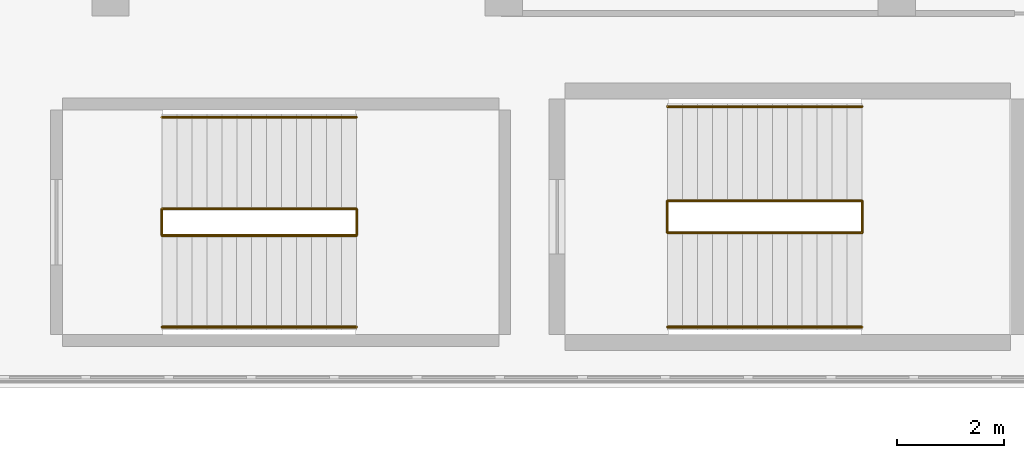
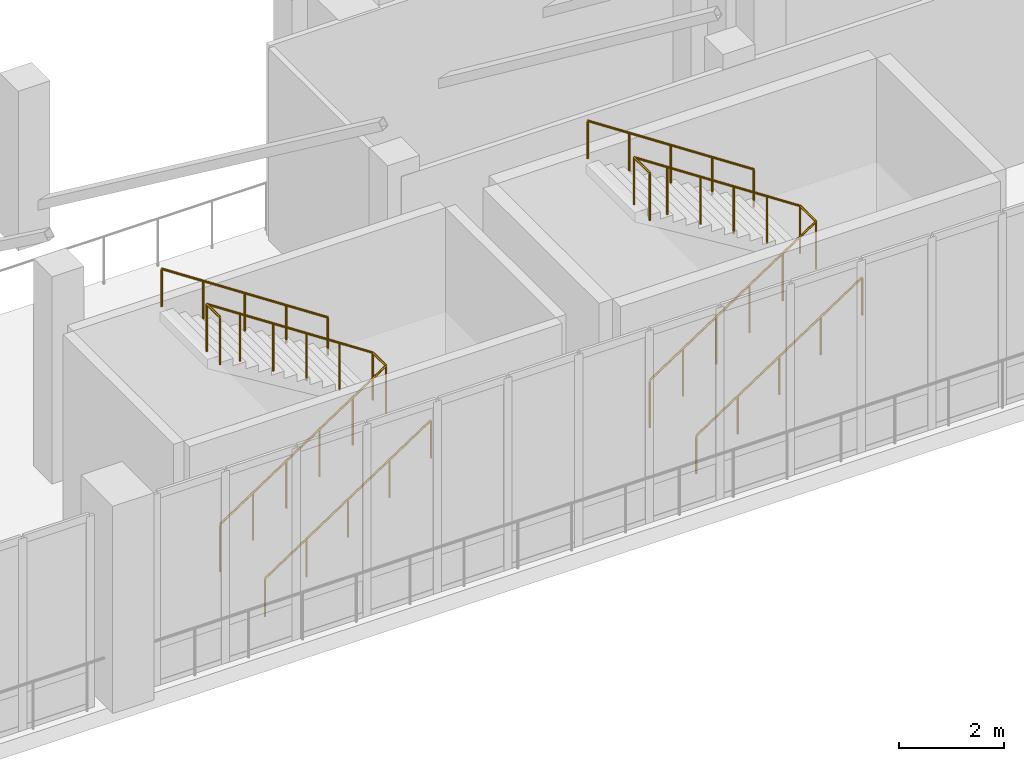
# One storey, part 112 of 126: 8 railings.
"""IFC4 building model written with IfcOpenShell, lengths in metres."""

from ifc_helpers import new_model, si_unit, derived_unit, direction, frame, origin, origin_2d, place, context, subcontext, project, spatial, circle, extrude, material, type_object, element, save


model = new_model("IFC4")

# Units and contexts
model_context = context("Model", 3, precision=1e-05, world=origin(), true_north=direction((0.0, 1.0)))
body_context = subcontext(model_context, "Body", "Model", "MODEL_VIEW")
ifc_project = project(units=[si_unit("LENGTHUNIT", "METRE"), si_unit("AREAUNIT", "SQUARE_METRE"), si_unit("VOLUMEUNIT", "CUBIC_METRE"), si_unit("PLANEANGLEUNIT", "RADIAN"), si_unit("MASSUNIT", "GRAM", prefix="KILO"), derived_unit("THERMALTRANSMITTANCEUNIT", [(si_unit("MASSUNIT", "GRAM", prefix="KILO"), 1), (si_unit("TIMEUNIT", "SECOND"), -3), (si_unit("THERMODYNAMICTEMPERATUREUNIT", "KELVIN"), -1)])], contexts=[model_context])

# Site, building, storey
site_placement = place(None, origin())
site = spatial("IfcSite", under=ifc_project, at=site_placement, CompositionType="ELEMENT")
building_placement = place(site_placement, origin())
building = spatial("IfcBuilding", under=site, at=building_placement, Name="Valcora Ridge Arena", CompositionType="ELEMENT")
storey_placement = place(building_placement, frame((0.0, 0.0, 11.39990234375)))
storey = spatial("IfcBuildingStorey", under=building, at=storey_placement, Name="L02", CompositionType="ELEMENT", Elevation=11.39990234375)

# Railings
ifc_material = material(Name="Galvanized painted steel ASTM A500 Grade B", Category="steel")
railing_type_1 = type_object("IfcRailingType", Name="TY-RAILING-GRD-STAIR-1120", PredefinedType="GUARDRAIL", material=ifc_material)
railing_1_placement = place(storey_placement, frame((83.110107421875, 22.89990234375, 0.0)))
element("IfcRailing", 1, at=railing_1_placement, inside=storey, type_object=railing_type_1, Name="GRD-STAIR-1120 RAL-SG-0019", PredefinedType="GUARDRAIL", context=body_context, shape_type="SweptSolid", body=[
    extrude(circle(Radius=0.02392578125, at=origin_2d()), frame((0.0, 0.0, 1.09619140625), z_axis=(0.834839479206, 0.0, 0.550493454965), x_axis=(0.0, 1.0, 0.0)), (0.0, 0.0, 1.0), 4.360107421875),
    extrude(circle(Radius=0.02392578125, at=origin_2d()), frame((3.639892578125, 0.0, 3.49609375), z_axis=(0.0, 1.0, 0.0), x_axis=(-1.0, 0.0, 0.0)), (0.0, 0.0, 1.0), 0.60009765625),
    extrude(circle(Radius=0.02392578125, at=origin_2d()), frame((3.639892578125, 0.60009765625, 3.49609375), z_axis=(-0.834865213223, 0.0, 0.550454426587), x_axis=(0.0, -1.0, 0.0)), (0.0, 0.0, 1.0), 4.35986328125),
    extrude(circle(Radius=0.02099609375, at=origin_2d()), origin(), (0.0, 0.0, 1.0), 1.072021484375),
    extrude(circle(Radius=0.02099609375, at=origin_2d()), frame((0.72802734375, 0.0, 0.47998046875)), (0.0, 0.0, 1.0), 1.072021484375),
    extrude(circle(Radius=0.02099609375, at=origin_2d()), frame((1.4560546875, 0.0, 0.9599609375)), (0.0, 0.0, 1.0), 1.072021484375),
    extrude(circle(Radius=0.02099609375, at=origin_2d()), frame((2.183837890625, 0.0, 1.440185546875)), (0.0, 0.0, 1.0), 1.072021484375),
    extrude(circle(Radius=0.02099609375, at=origin_2d()), frame((2.911865234375, 0.0, 1.920166015625)), (0.0, 0.0, 1.0), 1.072021484375),
    extrude(circle(Radius=0.02099609375, at=origin_2d()), frame((3.639892578125, 0.0, 2.400146484375)), (0.0, 0.0, 1.0), 1.072021484375),
    extrude(circle(Radius=0.02099609375, at=origin_2d()), frame((3.639892578125, 0.60009765625, 2.400146484375)), (0.0, 0.0, 1.0), 1.072021484375),
    extrude(circle(Radius=0.02099609375, at=origin_2d()), frame((2.911865234375, 0.60009765625, 2.880126953125)), (0.0, 0.0, 1.0), 1.072021484375),
    extrude(circle(Radius=0.02099609375, at=origin_2d()), frame((2.183837890625, 0.60009765625, 3.360107421875)), (0.0, 0.0, 1.0), 1.072021484375),
    extrude(circle(Radius=0.02099609375, at=origin_2d()), frame((1.4560546875, 0.60009765625, 3.840087890625)), (0.0, 0.0, 1.0), 1.072021484375),
    extrude(circle(Radius=0.02099609375, at=origin_2d()), frame((0.72802734375, 0.60009765625, 4.320068359375)), (0.0, 0.0, 1.0), 1.072021484375),
    extrude(circle(Radius=0.02099609375, at=origin_2d()), frame((0.0, 0.60009765625, 4.800048828125)), (0.0, 0.0, 1.0), 1.072021484375),
])
railing_2_placement = place(storey_placement, frame((83.110107421875, 22.89990234375, 4.800048828125)))
element("IfcRailing", 2, at=railing_2_placement, inside=storey, type_object=railing_type_1, Name="GRD-STAIR-1120 RAL-SG-0020", PredefinedType="GUARDRAIL", context=body_context, shape_type="SweptSolid", body=[
    extrude(circle(Radius=0.02392578125, at=origin_2d()), frame((0.0, 0.0, 1.09619140625), z_axis=(0.0, 1.0, 0.0), x_axis=(-1.0, 0.0, 0.0)), (0.0, 0.0, 1.0), 0.60009765625),
    extrude(circle(Radius=0.02099609375, at=origin_2d()), origin(), (0.0, 0.0, 1.0), 1.072021484375),
    extrude(circle(Radius=0.02099609375, at=origin_2d()), frame((0.0, 0.60009765625, 0.0)), (0.0, 0.0, 1.0), 1.072021484375),
])
railing_3_placement = place(storey_placement, frame((73.659912109375, 22.85009765625, 0.0)))
element("IfcRailing", 3, at=railing_3_placement, inside=storey, type_object=railing_type_1, Name="GRD-STAIR-1120 RAL-SG-0109", PredefinedType="GUARDRAIL", context=body_context, shape_type="SweptSolid", body=[
    extrude(circle(Radius=0.02392578125, at=origin_2d()), frame((0.0, 0.0, 1.09619140625), z_axis=(0.834856447115, 0.0, 0.55046772177), x_axis=(0.0, 1.0, 0.0)), (0.0, 0.0, 1.0), 4.360107421875),
    extrude(circle(Radius=0.02392578125, at=origin_2d()), frame((3.64013671875, 0.0, 3.49609375), z_axis=(0.0, 1.0, 0.0), x_axis=(-1.0, 0.0, 0.0)), (0.0, 0.0, 1.0), 0.5),
    extrude(circle(Radius=0.02392578125, at=origin_2d()), frame((3.64013671875, 0.5, 3.49609375), z_axis=(-0.83488217925, 0.0, 0.55042869363), x_axis=(0.0, -1.0, 0.0)), (0.0, 0.0, 1.0), 4.360107421875),
    extrude(circle(Radius=0.02099609375, at=origin_2d()), origin(), (0.0, 0.0, 1.0), 1.072021484375),
    extrude(circle(Radius=0.02099609375, at=origin_2d()), frame((0.72802734375, 0.0, 0.47998046875)), (0.0, 0.0, 1.0), 1.072021484375),
    extrude(circle(Radius=0.02099609375, at=origin_2d()), frame((1.4560546875, 0.0, 0.9599609375)), (0.0, 0.0, 1.0), 1.072021484375),
    extrude(circle(Radius=0.02099609375, at=origin_2d()), frame((2.18408203125, 0.0, 1.440185546875)), (0.0, 0.0, 1.0), 1.072021484375),
    extrude(circle(Radius=0.02099609375, at=origin_2d()), frame((2.912109375, 0.0, 1.920166015625)), (0.0, 0.0, 1.0), 1.072021484375),
    extrude(circle(Radius=0.02099609375, at=origin_2d()), frame((3.64013671875, 0.0, 2.400146484375)), (0.0, 0.0, 1.0), 1.072021484375),
    extrude(circle(Radius=0.02099609375, at=origin_2d()), frame((3.64013671875, 0.5, 2.400146484375)), (0.0, 0.0, 1.0), 1.072021484375),
    extrude(circle(Radius=0.02099609375, at=origin_2d()), frame((2.912109375, 0.5, 2.880126953125)), (0.0, 0.0, 1.0), 1.072021484375),
    extrude(circle(Radius=0.02099609375, at=origin_2d()), frame((2.18408203125, 0.5, 3.360107421875)), (0.0, 0.0, 1.0), 1.072021484375),
    extrude(circle(Radius=0.02099609375, at=origin_2d()), frame((1.4560546875, 0.5, 3.840087890625)), (0.0, 0.0, 1.0), 1.072021484375),
    extrude(circle(Radius=0.02099609375, at=origin_2d()), frame((0.72802734375, 0.5, 4.320068359375)), (0.0, 0.0, 1.0), 1.072021484375),
    extrude(circle(Radius=0.02099609375, at=origin_2d()), frame((0.0, 0.5, 4.800048828125)), (0.0, 0.0, 1.0), 1.072021484375),
])
railing_4_placement = place(storey_placement, frame((73.659912109375, 22.85009765625, 4.800048828125)))
element("IfcRailing", 4, at=railing_4_placement, inside=storey, type_object=railing_type_1, Name="GRD-STAIR-1120 RAL-SG-0110", PredefinedType="GUARDRAIL", context=body_context, shape_type="SweptSolid", body=[
    extrude(circle(Radius=0.02392578125, at=origin_2d()), frame((0.0, 0.0, 1.09619140625), z_axis=(0.0, 1.0, 0.0), x_axis=(-1.0, 0.0, 0.0)), (0.0, 0.0, 1.0), 0.5),
    extrude(circle(Radius=0.02099609375, at=origin_2d()), origin(), (0.0, 0.0, 1.0), 1.072021484375),
    extrude(circle(Radius=0.02099609375, at=origin_2d()), frame((0.0, 0.5, 0.0)), (0.0, 0.0, 1.0), 1.072021484375),
])
railing_type_2 = type_object("IfcRailingType", Name="TY-RAILING-HR-STAIR-900", PredefinedType="HANDRAIL", material=ifc_material)
railing_5_placement = place(storey_placement, frame((83.110107421875, 21.139892578125, 0.0)))
element("IfcRailing", 5, at=railing_5_placement, inside=storey, type_object=railing_type_2, Name="HR-STAIR-900 RAL-SH-0019", PredefinedType="HANDRAIL", context=body_context, shape_type="SweptSolid", body=[
    extrude(circle(Radius=0.02392578125, at=origin_2d()), frame((0.0, 0.0, 0.8759765625), z_axis=(0.834839479206, 0.0, 0.550493454965), x_axis=(0.0, 1.0, 0.0)), (0.0, 0.0, 1.0), 4.360107421875),
    extrude(circle(Radius=0.02099609375, at=origin_2d()), origin(), (0.0, 0.0, 1.0), 0.851806640625),
    extrude(circle(Radius=0.02099609375, at=origin_2d()), frame((0.909912109375, 0.0, 0.60009765625)), (0.0, 0.0, 1.0), 0.851806640625),
    extrude(circle(Radius=0.02099609375, at=origin_2d()), frame((1.81982421875, 0.0, 1.2001953125)), (0.0, 0.0, 1.0), 0.851806640625),
    extrude(circle(Radius=0.02099609375, at=origin_2d()), frame((2.72998046875, 0.0, 1.800048828125)), (0.0, 0.0, 1.0), 0.851806640625),
    extrude(circle(Radius=0.02099609375, at=origin_2d()), frame((3.639892578125, 0.0, 2.400146484375)), (0.0, 0.0, 1.0), 0.851806640625),
])
railing_6_placement = place(storey_placement, frame((86.75, 25.260009765625, 2.400146484375)))
element("IfcRailing", 6, at=railing_6_placement, inside=storey, type_object=railing_type_2, Name="HR-STAIR-900 RAL-SH-0020", PredefinedType="HANDRAIL", context=body_context, shape_type="SweptSolid", body=[
    extrude(circle(Radius=0.02392578125, at=origin_2d()), frame((0.0, 0.0, 0.8759765625), z_axis=(-0.834865213223, 0.0, 0.550454426587), x_axis=(0.0, -1.0, 0.0)), (0.0, 0.0, 1.0), 4.35986328125),
    extrude(circle(Radius=0.02099609375, at=origin_2d()), origin(), (0.0, 0.0, 1.0), 0.851806640625),
    extrude(circle(Radius=0.02099609375, at=origin_2d()), frame((-0.909912109375, 0.0, 0.60009765625)), (0.0, 0.0, 1.0), 0.851806640625),
    extrude(circle(Radius=0.02099609375, at=origin_2d()), frame((-1.81982421875, 0.0, 1.199951171875)), (0.0, 0.0, 1.0), 0.851806640625),
    extrude(circle(Radius=0.02099609375, at=origin_2d()), frame((-2.72998046875, 0.0, 1.7998046875)), (0.0, 0.0, 1.0), 0.851806640625),
    extrude(circle(Radius=0.02099609375, at=origin_2d()), frame((-3.639892578125, 0.0, 2.39990234375)), (0.0, 0.0, 1.0), 0.851806640625),
])
railing_7_placement = place(storey_placement, frame((73.659912109375, 21.139892578125, 0.0)))
element("IfcRailing", 7, at=railing_7_placement, inside=storey, type_object=railing_type_2, Name="HR-STAIR-900 RAL-SH-0109", PredefinedType="HANDRAIL", context=body_context, shape_type="SweptSolid", body=[
    extrude(circle(Radius=0.02392578125, at=origin_2d()), frame((0.0, 0.0, 0.8759765625), z_axis=(0.834856447115, 0.0, 0.55046772177), x_axis=(0.0, 1.0, 0.0)), (0.0, 0.0, 1.0), 4.360107421875),
    extrude(circle(Radius=0.02099609375, at=origin_2d()), origin(), (0.0, 0.0, 1.0), 0.851806640625),
    extrude(circle(Radius=0.02099609375, at=origin_2d()), frame((0.91015625, 0.0, 0.60009765625)), (0.0, 0.0, 1.0), 0.851806640625),
    extrude(circle(Radius=0.02099609375, at=origin_2d()), frame((1.820068359375, 0.0, 1.2001953125)), (0.0, 0.0, 1.0), 0.851806640625),
    extrude(circle(Radius=0.02099609375, at=origin_2d()), frame((2.72998046875, 0.0, 1.800048828125)), (0.0, 0.0, 1.0), 0.851806640625),
    extrude(circle(Radius=0.02099609375, at=origin_2d()), frame((3.64013671875, 0.0, 2.400146484375)), (0.0, 0.0, 1.0), 0.851806640625),
])
railing_8_placement = place(storey_placement, frame((77.300048828125, 25.06005859375, 2.400146484375)))
element("IfcRailing", 8, at=railing_8_placement, inside=storey, type_object=railing_type_2, Name="HR-STAIR-900 RAL-SH-0110", PredefinedType="HANDRAIL", context=body_context, shape_type="SweptSolid", body=[
    extrude(circle(Radius=0.02392578125, at=origin_2d()), frame((0.0, 0.0, 0.8759765625), z_axis=(-0.83488217925, 0.0, 0.55042869363), x_axis=(0.0, -1.0, 0.0)), (0.0, 0.0, 1.0), 4.360107421875),
    extrude(circle(Radius=0.02099609375, at=origin_2d()), origin(), (0.0, 0.0, 1.0), 0.851806640625),
    extrude(circle(Radius=0.02099609375, at=origin_2d()), frame((-0.91015625, 0.0, 0.60009765625)), (0.0, 0.0, 1.0), 0.851806640625),
    extrude(circle(Radius=0.02099609375, at=origin_2d()), frame((-1.820068359375, 0.0, 1.199951171875)), (0.0, 0.0, 1.0), 0.851806640625),
    extrude(circle(Radius=0.02099609375, at=origin_2d()), frame((-2.72998046875, 0.0, 1.7998046875)), (0.0, 0.0, 1.0), 0.851806640625),
    extrude(circle(Radius=0.02099609375, at=origin_2d()), frame((-3.64013671875, 0.0, 2.39990234375)), (0.0, 0.0, 1.0), 0.851806640625),
])

save(model, "model.ifc")
